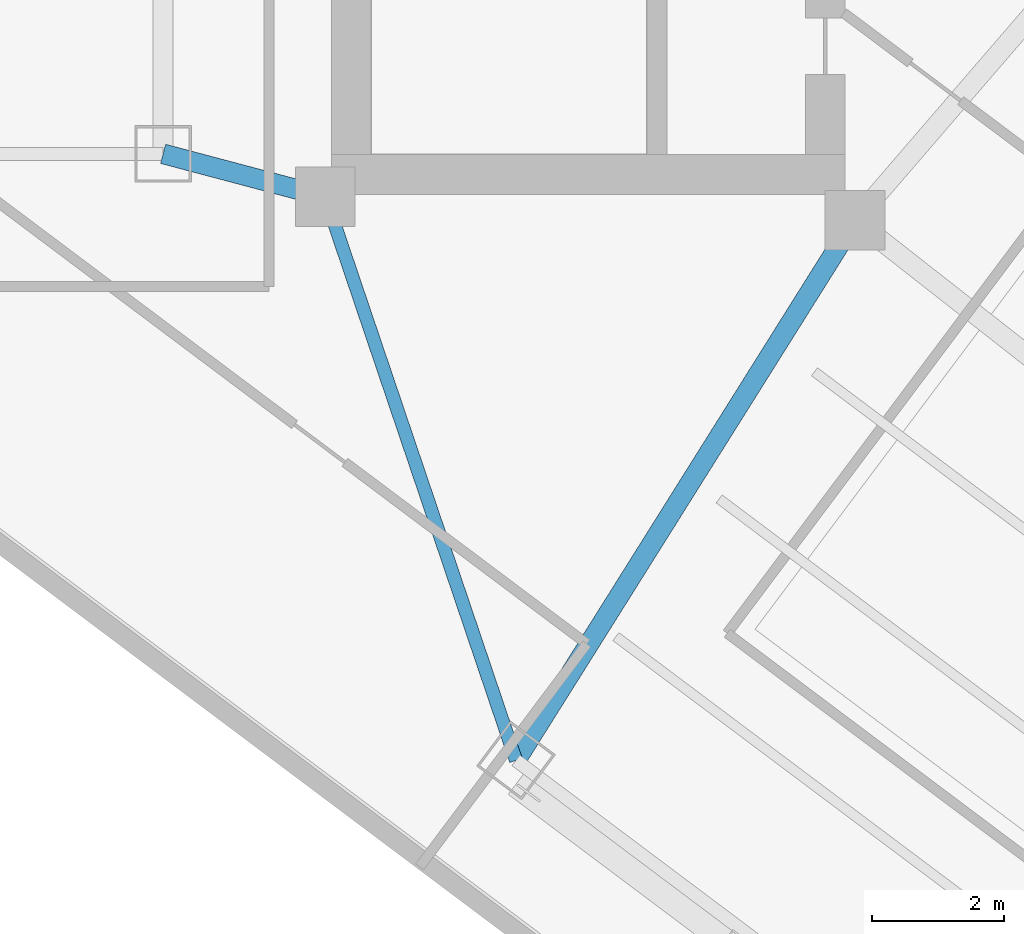
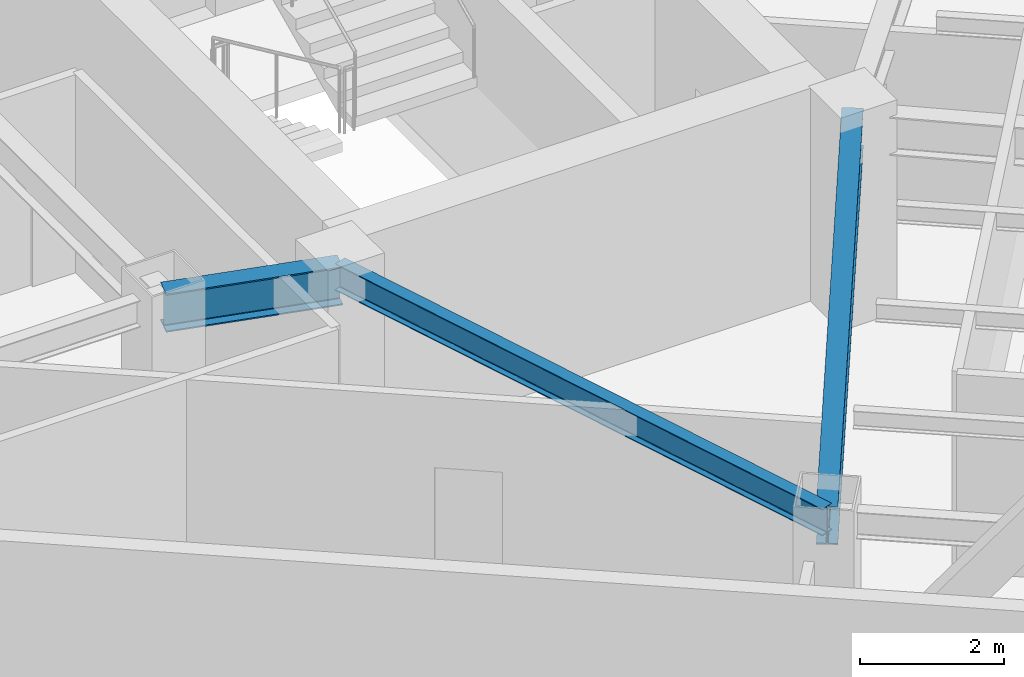
# One storey, part 3 of 26: 3 beams.
"""IFC4 building model written with IfcOpenShell, lengths in metres."""

import ifcopenshell
import ifcopenshell.guid

model = None  # the IFC model being written
_history = None  # IfcOwnerHistory: only IFC2X3 demands one
_inside = {}  # id of a spatial element -> (the spatial element, [elements in it])
_under = {}  # id of a project, library or spatial element -> (it, [spatial elements below it])
_declared = {}  # id of a project -> (the project, [libraries it declares])
_typed = {}  # id of a type object -> (the type object, [elements of that type])
_made_of = {}  # id of a material, layer set ... -> (it, [elements and type objects made of it])


def new_model(schema):
    """Start an empty IFC model of exactly this schema.

    Asked for "IFC4X3", IfcOpenShell would pick the latest addendum, in which some entities
    have other attributes; the version numbers below select the first issue.
    IFC2X3 requires an IfcOwnerHistory on every rooted entity: one is made here for all.
    """
    global model, _history
    if schema == "IFC4X3":
        model = ifcopenshell.file(schema_version=(4, 3, 0, 0))
    else:
        model = ifcopenshell.file(schema=schema)
    _inside.clear()
    _under.clear()
    _declared.clear()
    _typed.clear()
    _made_of.clear()
    _history = None
    if model.schema == "IFC2X3":
        org = make("IfcOrganization", Name="unknown")
        user = make(
            "IfcPersonAndOrganization",
            ThePerson=make("IfcPerson", FamilyName="unknown"),
            TheOrganization=org,
        )
        app = make(
            "IfcApplication",
            ApplicationDeveloper=org,
            Version="unknown",
            ApplicationFullName="unknown",
            ApplicationIdentifier="unknown",
        )
        _history = make(
            "IfcOwnerHistory",
            OwningUser=user,
            OwningApplication=app,
            ChangeAction="ADDED",
            CreationDate=0,
        )
    return model


def make(cls, **values):
    """One entity of the class cls with the attributes given. An attribute that is None is left unset."""
    return model.create_entity(
        cls, **{name: value for name, value in values.items() if value is not None}
    )


def rooted(cls, **values):
    """An entity with a GlobalId (a new one), such as an element, a storey or a relation."""
    return make(cls, GlobalId=ifcopenshell.guid.new(), OwnerHistory=_history, **values)


def si_unit(unit_type, name, prefix=None):
    """IfcSIUnit, for example si_unit("LENGTHUNIT", "METRE", prefix="MILLI")."""
    return make("IfcSIUnit", UnitType=unit_type, Prefix=prefix, Name=name)


def assignment(units):
    """IfcUnitAssignment: the units of a project."""
    return None if units is None else make("IfcUnitAssignment", Units=units)


def point(xyz):
    """IfcCartesianPoint."""
    return None if xyz is None else make("IfcCartesianPoint", Coordinates=xyz)


def direction(xyz):
    """IfcDirection."""
    return None if xyz is None else make("IfcDirection", DirectionRatios=xyz)


def frame(location, z_axis=None, x_axis=None):
    """IfcAxis2Placement3D, a coordinate frame: its origin and axes. An axis left out is left unset."""
    return make(
        "IfcAxis2Placement3D",
        Location=point(location),
        Axis=direction(z_axis),
        RefDirection=direction(x_axis),
    )


def frame_2d(location, x_axis=None):
    """IfcAxis2Placement2D, a coordinate frame in the plane: its origin and x axis."""
    return make(
        "IfcAxis2Placement2D", Location=point(location), RefDirection=direction(x_axis)
    )


def origin():
    """The frame at (0, 0, 0) with its axes left unset."""
    return frame((0.0, 0.0, 0.0))


def origin_2d():
    """The frame at (0, 0) in the plane with its x axis left unset."""
    return frame_2d((0.0, 0.0))


def place(relative_to, where):
    """IfcLocalPlacement: puts the frame where relative to a parent placement (None: the world)."""
    return make(
        "IfcLocalPlacement", PlacementRelTo=relative_to, RelativePlacement=where
    )


def context(
    kind, dimensions, precision=None, world=None, true_north=None, identifier=None
):
    """IfcGeometricRepresentationContext, for example the 3D "Model" context."""
    return make(
        "IfcGeometricRepresentationContext",
        ContextIdentifier=identifier,
        ContextType=kind,
        CoordinateSpaceDimension=dimensions,
        Precision=precision,
        WorldCoordinateSystem=world,
        TrueNorth=true_north,
    )


def subcontext(parent, identifier, kind, view, scale=None):
    """IfcGeometricRepresentationSubContext, for example "Body" below "Model"."""
    return make(
        "IfcGeometricRepresentationSubContext",
        ContextIdentifier=identifier,
        ContextType=kind,
        ParentContext=parent,
        TargetScale=scale,
        TargetView=view,
    )


def project(units=None, contexts=None):
    """IfcProject with its units and contexts."""
    return rooted(
        "IfcProject",
        Name="project",
        RepresentationContexts=contexts,
        UnitsInContext=assignment(units),
    )


def spatial(cls, under=None, at=None, **own):
    """A site, building, storey or space (cls), placed at a placement, below another one or the project."""
    s = rooted(cls, ObjectPlacement=at, **own)
    if under is not None:
        _under.setdefault(under.id(), (under, []))[1].append(s)
    return s


def profile(cls, at=None, kind="AREA", **sizes):
    """A parametric profile (cls). Its sizes go by their IFC names, for example OverallWidth=200.0."""
    return make(cls, ProfileType=kind, Position=at, **sizes)


def i_section(**sizes):
    """IfcIShapeProfileDef."""
    return profile("IfcIShapeProfileDef", **sizes)


def extrude(swept, where, along, depth):
    """IfcExtrudedAreaSolid: the profile swept, set in the frame where, extruded along a direction by depth."""
    return make(
        "IfcExtrudedAreaSolid",
        SweptArea=swept,
        Position=where,
        ExtrudedDirection=direction(along),
        Depth=depth,
    )


def shape(context_of_items, identifier, shape_type, items):
    """IfcShapeRepresentation: the items that make up one representation, for example the "Body"."""
    return make(
        "IfcShapeRepresentation",
        ContextOfItems=context_of_items,
        RepresentationIdentifier=identifier,
        RepresentationType=shape_type,
        Items=items,
    )


def material(Name=None, Category=None):
    """IfcMaterial."""
    return make("IfcMaterial", Name=Name, Category=Category)


def material_profile(
    of_material, cross_section, Name=None, Category=None, Priority=None
):
    """IfcMaterialProfile: a cross section and its material."""
    return make(
        "IfcMaterialProfile",
        Name=Name,
        Material=of_material,
        Profile=cross_section,
        Priority=Priority,
        Category=Category,
    )


def profile_set(profiles, Name=None, composite=None):
    """IfcMaterialProfileSet."""
    return make(
        "IfcMaterialProfileSet",
        Name=Name,
        MaterialProfiles=profiles,
        CompositeProfile=composite,
    )


def made_of(thing, what):
    """Note that an element or type object is made of a material, layer set ...; save() writes the relation."""
    if what is not None:
        _made_of.setdefault(what.id(), (what, []))[1].append(thing)
    return thing


def type_object(cls, material=None, **own):
    """A type object (cls), such as IfcWallType, which elements share."""
    return made_of(rooted(cls, **own), material)


def element(
    cls,
    number,
    at=None,
    inside=None,
    cuts=None,
    type_object=None,
    material=None,
    context=None,
    identifier="Body",
    shape_type=None,
    held_by="IfcProductDefinitionShape",
    body=None,
    shapes=None,
    **own,
):
    """One element of the class cls, such as IfcWall. Its Tag is "e" and its number.

    at: its placement. inside: the storey or other place that contains it. cuts: it is an
    opening in that element (IfcRelVoidsElement). A single representation is given by context,
    identifier, shape_type and body (its items); several are given by shapes. held_by: the class
    of the entity that holds the representations. save() writes the other relations.
    """
    e = rooted(cls, Tag="e%d" % number, ObjectPlacement=at, **own)
    if body is not None:
        shapes = [shape(context, identifier, shape_type, body)]
    if shapes is not None:
        e.Representation = make(held_by, Representations=shapes)
    if inside is not None:
        _inside.setdefault(inside.id(), (inside, []))[1].append(e)
    if cuts is not None:
        rooted(
            "IfcRelVoidsElement", RelatingBuildingElement=cuts, RelatedOpeningElement=e
        )
    if type_object is not None:
        _typed.setdefault(type_object.id(), (type_object, []))[1].append(e)
    return made_of(e, material)


def aggregate(whole, parts):
    """IfcRelAggregates: a whole, such as a stair, and the parts it consists of."""
    return rooted("IfcRelAggregates", RelatingObject=whole, RelatedObjects=parts)


def save(model, path):
    """Write the relations noted so far, then the file.

    IfcRelAggregates (storeys below a building ...), IfcRelContainedInSpatialStructure (elements
    in a storey), IfcRelDefinesByType, IfcRelAssociatesMaterial and IfcRelDeclares: one each for
    every whole, place, type object, material and project.
    """
    for whole, parts in _under.values():
        aggregate(whole, parts)
    for where, things in _inside.values():
        rooted(
            "IfcRelContainedInSpatialStructure",
            RelatedElements=things,
            RelatingStructure=where,
        )
    for kind, things in _typed.values():
        rooted("IfcRelDefinesByType", RelatedObjects=things, RelatingType=kind)
    for what, things in _made_of.values():
        rooted("IfcRelAssociatesMaterial", RelatedObjects=things, RelatingMaterial=what)
    for by, libraries in _declared.values():
        rooted("IfcRelDeclares", RelatingContext=by, RelatedDefinitions=libraries)
    model.write(path)


model = new_model("IFC4")

# Units and contexts
model_context = context("Model", 3, precision=1e-05, world=origin(), true_north=direction((0.0, 1.0)))
body_context = subcontext(model_context, "Body", "Model", "MODEL_VIEW")
ifc_project = project(units=[si_unit("LENGTHUNIT", "METRE"), si_unit("AREAUNIT", "SQUARE_METRE"), si_unit("VOLUMEUNIT", "CUBIC_METRE"), si_unit("PLANEANGLEUNIT", "RADIAN"), si_unit("MASSUNIT", "GRAM", prefix="KILO")], contexts=[model_context])

# Site, building, storey
site_placement = place(None, origin())
site = spatial("IfcSite", under=ifc_project, at=site_placement, CompositionType="ELEMENT")
building_placement = place(site_placement, origin())
building = spatial("IfcBuilding", under=site, at=building_placement, Name="Hatsunagi Terrace Concourse", CompositionType="ELEMENT")
storey_placement = place(building_placement, frame((0.0, 0.0, 134.85009765625)))
storey = spatial("IfcBuildingStorey", under=building, at=storey_placement, Name="L35", CompositionType="ELEMENT", Elevation=134.85009765625)

# Beams
ifc_material_1 = material(Name="Steel SN490B", Category="steel")
ifc_material_profile_1 = material_profile(ifc_material_1, i_section(OverallWidth=0.300048828125, OverallDepth=0.64990234375, WebThickness=0.012939453125, FlangeThickness=0.02197265625, FilletRadius=0.01806640625, at=origin_2d()), Name="H-650x300x13x22")
ifc_profile_set_1 = profile_set([ifc_material_profile_1], Name="Steel SN490B")
beam_type_1 = type_object("IfcBeamType", Name="OfficeLowGirder_H_650x300", PredefinedType="BEAM", material=ifc_profile_set_1)
beam_1_placement = place(storey_placement, frame((33.35009765625, 25.199951171875, 3.02490234375), z_axis=(0.966569840116, -0.256403479262, 0.0), x_axis=(0.256403479262, 0.966569840116, 0.0)))
element("IfcBeam", 1, at=beam_1_placement, inside=storey, type_object=beam_type_1, Name="Beam G-05 BM-L35-K2CB", PredefinedType="BEAM", context=body_context, shape_type="SweptSolid", body=[
    extrude(i_section(OverallWidth=0.300048828125, OverallDepth=0.64990234375, WebThickness=0.012939453125, FlangeThickness=0.02197265625, FilletRadius=0.01806640625, at=origin_2d()), origin(), (0.0, 0.0, 1.0), 2.53466796875),
])
beam_2_placement = place(storey_placement, frame((38.679931640625, 16.0400390625, 3.02490234375), z_axis=(0.531503907049, 0.847055840421, 0.0), x_axis=(-0.847055840421, 0.531503907049, 0.0)))
element("IfcBeam", 2, at=beam_2_placement, inside=storey, type_object=beam_type_1, Name="Beam G-05 BM-L35-SET-1A", PredefinedType="BEAM", context=body_context, shape_type="SweptSolid", body=[
    extrude(i_section(OverallWidth=0.300048828125, OverallDepth=0.64990234375, WebThickness=0.012939453125, FlangeThickness=0.02197265625, FilletRadius=0.01806640625, at=origin_2d()), origin(), (0.0, 0.0, 1.0), 9.63330078125),
])
ifc_material_2 = material(Name="Steel SN490B", Category="steel")
ifc_material_profile_2 = material_profile(ifc_material_2, i_section(OverallWidth=0.199951171875, OverallDepth=0.449951171875, WebThickness=0.009033203125, FlangeThickness=0.013916015625, FilletRadius=0.01611328125, at=origin_2d()), Name="H-450x200x9x14")
ifc_profile_set_2 = profile_set([ifc_material_profile_2], Name="Steel SN490B")
beam_type_2 = type_object("IfcBeamType", Name="PerimeterSpandrel_H_450x200", PredefinedType="SPANDREL", material=ifc_profile_set_2)
beam_3_placement = place(storey_placement, frame((35.800048828125, 24.550048828125, 3.125), z_axis=(0.320553412271, -0.947230441805, 0.0), x_axis=(0.947230441805, 0.320553412271, 0.0)))
element("IfcBeam", 3, at=beam_3_placement, inside=storey, type_object=beam_type_2, Name="Beam SP-02 BM-L35-SE-SW0", PredefinedType="SPANDREL", context=body_context, shape_type="SweptSolid", body=[
    extrude(i_section(OverallWidth=0.199951171875, OverallDepth=0.449951171875, WebThickness=0.009033203125, FlangeThickness=0.013916015625, FilletRadius=0.01611328125, at=origin_2d()), origin(), (0.0, 0.0, 1.0), 8.984130859375),
])

save(model, "model.ifc")
